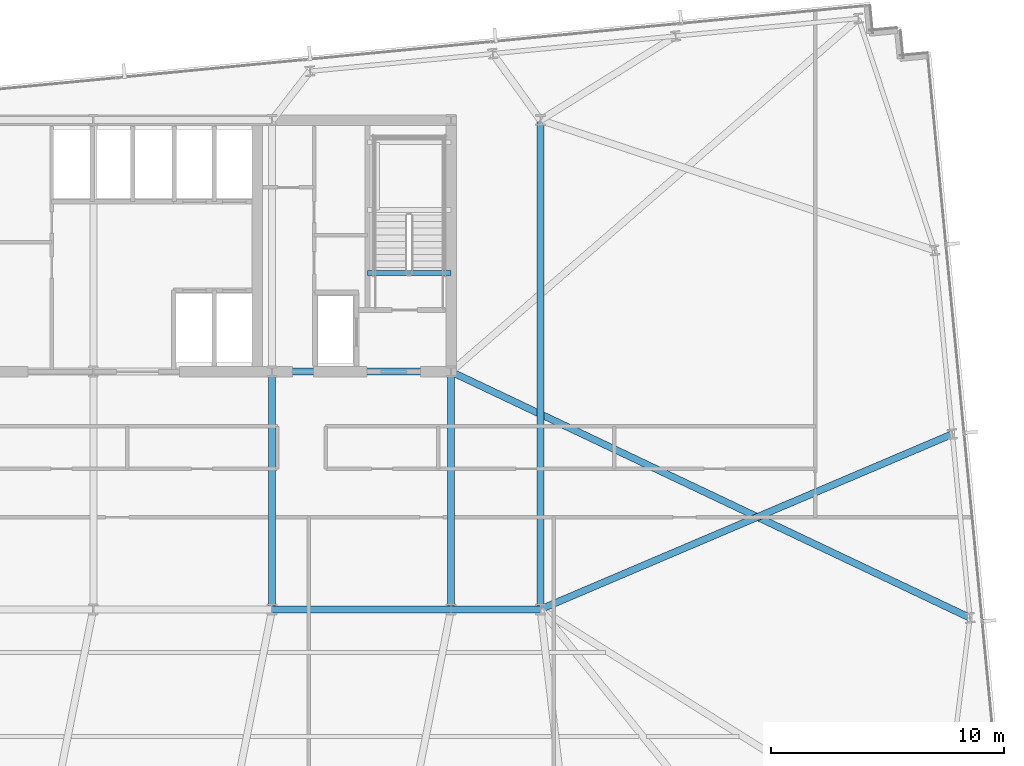
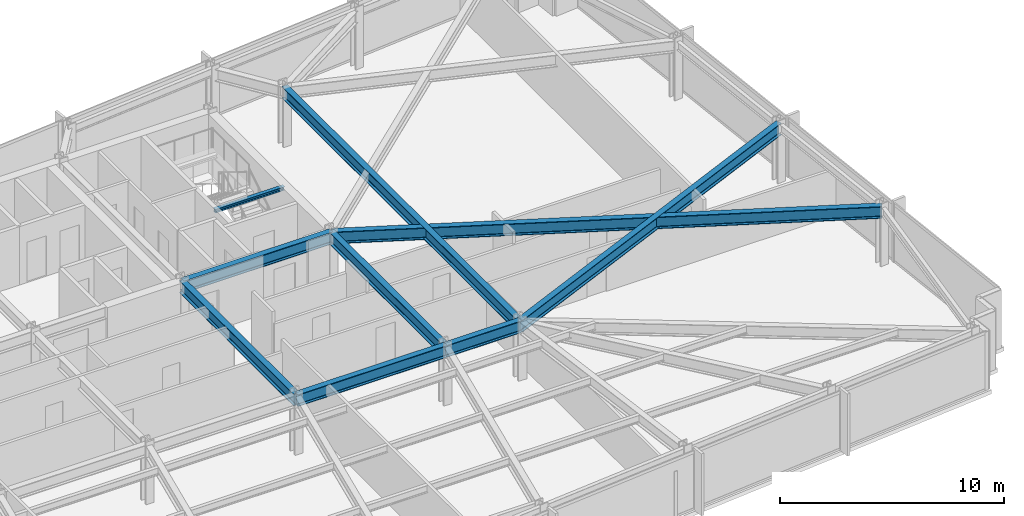
# One storey, part 15 of 32: 9 beams.
"""IFC4 building model written with IfcOpenShell, lengths in metres."""

from ifc_helpers import new_model, si_unit, direction, frame, origin, origin_2d, place, context, subcontext, project, spatial, i_section, extrude, material, material_profile, profile_set, type_object, element, save


model = new_model("IFC4")

# Units and contexts
model_context = context("Model", 3, precision=1e-05, world=origin(), true_north=direction((0.0, 1.0)))
body_context = subcontext(model_context, "Body", "Model", "MODEL_VIEW")
ifc_project = project(units=[si_unit("LENGTHUNIT", "METRE"), si_unit("AREAUNIT", "SQUARE_METRE"), si_unit("VOLUMEUNIT", "CUBIC_METRE"), si_unit("PLANEANGLEUNIT", "RADIAN"), si_unit("MASSUNIT", "GRAM", prefix="KILO")], contexts=[model_context])

# Site, building, storey
site_placement = place(None, origin())
site = spatial("IfcSite", under=ifc_project, at=site_placement, CompositionType="ELEMENT")
building_placement = place(site_placement, origin())
building = spatial("IfcBuilding", under=site, at=building_placement, Name="Yelkora Congress Tower", CompositionType="ELEMENT")
storey_placement = place(building_placement, frame((0.0, 0.0, 116.89990234375)))
storey = spatial("IfcBuildingStorey", under=building, at=storey_placement, Name="L31", CompositionType="ELEMENT", Elevation=116.89990234375)

# Beams
ifc_material = material(Name="Steel S355J2", Category="steel")
ifc_material_profile_1 = material_profile(ifc_material, i_section(OverallWidth=0.300048828125, OverallDepth=0.64990234375, WebThickness=0.01611328125, FlangeThickness=0.031005859375, FilletRadius=0.027099609375, at=origin_2d()), Name="HEB 650")
ifc_profile_set_1 = profile_set([ifc_material_profile_1], Name="Steel S355J2")
beam_type_1 = type_object("IfcBeamType", Name="BM-GIRD-HEB650", PredefinedType="BEAM", material=ifc_profile_set_1)
beam_1_placement = place(storey_placement, frame((46.080078125, 25.199951171875, 2.85498046875), z_axis=(1.0, 0.0, 0.0), x_axis=(0.0, 1.0, 0.0)))
element("IfcBeam", 1, at=beam_1_placement, inside=storey, type_object=beam_type_1, Name="L31 Spine Grid D Girder 5", PredefinedType="BEAM", context=body_context, shape_type="SweptSolid", body=[
    extrude(i_section(OverallWidth=0.300048828125, OverallDepth=0.64990234375, WebThickness=0.01611328125, FlangeThickness=0.031005859375, FilletRadius=0.027099609375, at=origin_2d()), origin(), (0.0, 0.0, 1.0), 7.679931640625),
])
beam_2_placement = place(storey_placement, frame((53.760009765625, 25.199951171875, 2.85498046875), z_axis=(1.0, 0.0, 0.0), x_axis=(0.0, 1.0, 0.0)))
element("IfcBeam", 2, at=beam_2_placement, inside=storey, type_object=beam_type_1, Name="L31 Spine Grid D Girder 6", PredefinedType="BEAM", context=body_context, shape_type="SweptSolid", body=[
    extrude(i_section(OverallWidth=0.300048828125, OverallDepth=0.64990234375, WebThickness=0.01611328125, FlangeThickness=0.031005859375, FilletRadius=0.027099609375, at=origin_2d()), origin(), (0.0, 0.0, 1.0), 3.840087890625),
])
beam_3_placement = place(storey_placement, frame((46.080078125, 35.39990234375, 2.85498046875), z_axis=(1.0, 0.0, 0.0), x_axis=(0.0, 1.0, 0.0)))
element("IfcBeam", 3, at=beam_3_placement, inside=storey, type_object=beam_type_1, Name="L31 Core South Girder 4", PredefinedType="BEAM", context=body_context, shape_type="SweptSolid", body=[
    extrude(i_section(OverallWidth=0.300048828125, OverallDepth=0.64990234375, WebThickness=0.01611328125, FlangeThickness=0.031005859375, FilletRadius=0.027099609375, at=origin_2d()), origin(), (0.0, 0.0, 1.0), 7.679931640625),
])
for number, where, z_axis, x_axis, name in (
    (4, (46.080078125, 25.199951171875, 2.85498046875), (0.0, 1.0, 0.0), (-1.0, 0.0, 0.0), "L31 Core Tie Girder MC-D4"),
    (5, (53.760009765625, 25.199951171875, 2.85498046875), (0.0, 1.0, 0.0), (-1.0, 0.0, 0.0), "L31 Core Tie Girder MC-D5"),
):
    element("IfcBeam", number, at=place(storey_placement, frame(where, z_axis=z_axis, x_axis=x_axis)), inside=storey, type_object=beam_type_1, Name=name, PredefinedType="BEAM", context=body_context, shape_type="SweptSolid", body=[
        extrude(i_section(OverallWidth=0.300048828125, OverallDepth=0.64990234375, WebThickness=0.01611328125, FlangeThickness=0.031005859375, FilletRadius=0.027099609375, at=origin_2d()), origin(), (0.0, 0.0, 1.0), 10.199951171875),
    ])
beam_4_placement = place(storey_placement, frame((57.60009765625, 25.199951171875, 2.85498046875), z_axis=(0.0, 1.0, 0.0), x_axis=(-1.0, 0.0, 0.0)))
element("IfcBeam", 6, at=beam_4_placement, inside=storey, type_object=beam_type_1, Name="L31 Neck Flank Girder MC-F2", PredefinedType="BEAM", context=body_context, shape_type="SweptSolid", body=[
    extrude(i_section(OverallWidth=0.300048828125, OverallDepth=0.64990234375, WebThickness=0.01611328125, FlangeThickness=0.031005859375, FilletRadius=0.027099609375, at=origin_2d()), origin(), (0.0, 0.0, 1.0), 21.0),
])
beam_5_placement = place(storey_placement, frame((76.041259765625, 24.83349609375, 2.85498046875), z_axis=(-0.903547447445, 0.428488051427, 0.0), x_axis=(-0.428488051427, -0.903547447445, 0.0)))
element("IfcBeam", 7, at=beam_5_placement, inside=storey, type_object=beam_type_1, Name="L31 Primary Frame Girder E01", PredefinedType="BEAM", context=body_context, shape_type="SweptSolid", body=[
    extrude(i_section(OverallWidth=0.300048828125, OverallDepth=0.64990234375, WebThickness=0.01611328125, FlangeThickness=0.031005859375, FilletRadius=0.027099609375, at=origin_2d()), origin(), (0.0, 0.0, 1.0), 24.65966796875),
])
beam_6_placement = place(storey_placement, frame((75.28173828125, 32.721923828125, 2.85498046875), z_axis=(-0.920194564302, -0.391461318432, 0.0), x_axis=(0.391461318432, -0.920194564302, 0.0)))
element("IfcBeam", 8, at=beam_6_placement, inside=storey, type_object=beam_type_1, Name="L31 Primary Frame Girder E02", PredefinedType="BEAM", context=body_context, shape_type="SweptSolid", body=[
    extrude(i_section(OverallWidth=0.300048828125, OverallDepth=0.64990234375, WebThickness=0.01611328125, FlangeThickness=0.031005859375, FilletRadius=0.027099609375, at=origin_2d()), origin(), (0.0, 0.0, 1.0), 19.215087890625),
])
ifc_material_profile_2 = material_profile(ifc_material, i_section(OverallWidth=0.199951171875, OverallDepth=0.18994140625, WebThickness=0.006591796875, FlangeThickness=0.010009765625, FilletRadius=0.01806640625, at=origin_2d()), Name="HEA 200")
ifc_profile_set_2 = profile_set([ifc_material_profile_2], Name="Steel S355J2")
beam_type_2 = type_object("IfcBeamType", Name="BM-LAND-HEA200", PredefinedType="BEAM", material=ifc_profile_set_2)
beam_7_placement = place(storey_placement, frame((50.179931640625, 39.639892578125, 2.947509765625), z_axis=(1.0, 0.0, 0.0), x_axis=(0.0, 1.0, 0.0)))
element("IfcBeam", 9, at=beam_7_placement, inside=storey, type_object=beam_type_2, Name="ST-02 L31 Floor Arrival Stringer Header Beam", PredefinedType="BEAM", context=body_context, shape_type="SweptSolid", body=[
    extrude(i_section(OverallWidth=0.199951171875, OverallDepth=0.18994140625, WebThickness=0.006591796875, FlangeThickness=0.010009765625, FilletRadius=0.01806640625, at=origin_2d()), origin(), (0.0, 0.0, 1.0), 3.580078125),
])

save(model, "model.ifc")
